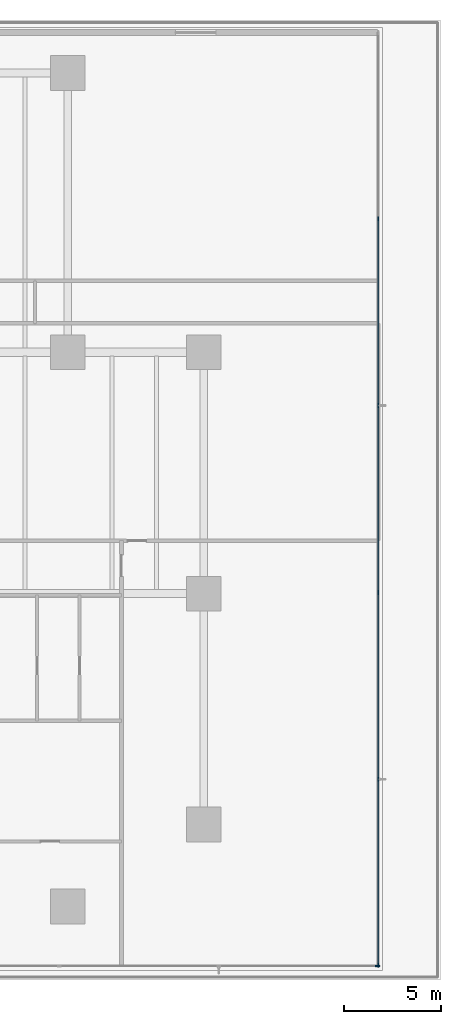
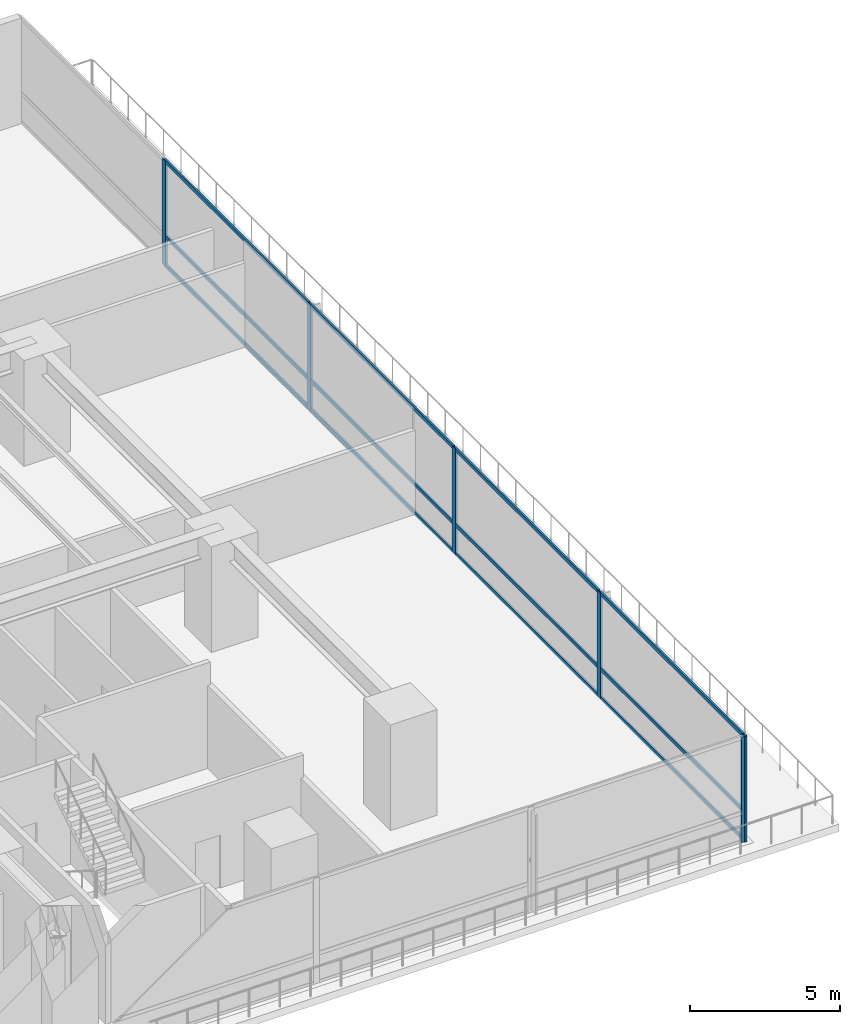
# One storey, part 6 of 24: 18 members, 2 elements without a shape of their own.
"""IFC4 building model written with IfcOpenShell, lengths in metres."""

from ifc_helpers import new_model, si_unit, direction, frame, origin, origin_2d, place, context, subcontext, project, spatial, rectangle, extrude, material, layer, layer_set, material_profile, profile_set, type_object, element, aggregate, save


model = new_model("IFC4")

# Units and contexts
model_context = context("Model", 3, precision=1e-05, world=origin(), true_north=direction((0.0, 1.0)))
body_context = subcontext(model_context, "Body", "Model", "MODEL_VIEW")
ifc_project = project(units=[si_unit("LENGTHUNIT", "METRE"), si_unit("AREAUNIT", "SQUARE_METRE"), si_unit("VOLUMEUNIT", "CUBIC_METRE"), si_unit("PLANEANGLEUNIT", "RADIAN"), si_unit("MASSUNIT", "GRAM", prefix="KILO")], contexts=[model_context])

# Site, building, storey
site_placement = place(None, origin())
site = spatial("IfcSite", under=ifc_project, at=site_placement, CompositionType="ELEMENT")
building_placement = place(site_placement, origin())
building = spatial("IfcBuilding", under=site, at=building_placement, Name="Qalmaran Belvedere Hotel", CompositionType="ELEMENT")
storey_placement = place(building_placement, frame((0.0, 0.0, 14.60009765625)))
storey = spatial("IfcBuildingStorey", under=building, at=storey_placement, Name="L03", CompositionType="ELEMENT", Elevation=14.60009765625)

# Curtain wall, member
ifc_material = material(Name="Anodised Bronze Aluminium", Category="aluminium")
ifc_layer = layer(ifc_material, 0.219970703125, Name="Anodised Bronze Aluminium")
ifc_layer_set = layer_set([ifc_layer], Name="Anodised Bronze Aluminium")
curtain_wall_type = type_object("IfcCurtainWallType", Name="CW1-PODIUM-BRONZE", PredefinedType="NOTDEFINED", material=ifc_layer_set)
curtain_wall_1_placement = place(storey_placement, origin())
curtain_wall_1 = element("IfcCurtainWall", 1, at=curtain_wall_1_placement, inside=storey, type_object=curtain_wall_type, Name="L03 Curtain Wall CW1", PredefinedType="NOTDEFINED")
ifc_material_profile_1 = material_profile(ifc_material, rectangle(XDim=0.074951171875, YDim=0.219970703125, at=origin_2d()), Name="CWM75X220")
ifc_profile_set_1 = profile_set([ifc_material_profile_1], Name="Anodised Bronze Aluminium")
member_type_1 = type_object("IfcMemberType", Name="CWM-75X220", PredefinedType="MULLION", material=ifc_profile_set_1)
member_1_placement = place(storey_placement, frame((69.742431640625, 1.219970703125, 0.0), z_axis=(0.0, 0.0, 1.0), x_axis=(0.0, 1.0, 0.0)))
member_1 = element("IfcMember", 2, at=member_1_placement, type_object=member_type_1, Name="CW1 mullion 9", PredefinedType="MULLION", context=body_context, shape_type="SweptSolid", body=[
    extrude(rectangle(XDim=0.074951171875, YDim=0.219970703125, at=origin_2d()), origin(), (0.0, 0.0, 1.0), 4.2998046875),
])
aggregate(curtain_wall_1, [member_1])

# Curtain wall, members
curtain_wall_2_placement = place(storey_placement, origin())
curtain_wall_2 = element("IfcCurtainWall", 3, at=curtain_wall_2_placement, inside=storey, type_object=curtain_wall_type, Name="L03 Curtain Wall CW1", PredefinedType="NOTDEFINED")
member_2_placement = place(storey_placement, frame((69.780029296875, 1.257568359375, 0.0), z_axis=(0.0, 0.0, 1.0), x_axis=(-1.0, 0.0, 0.0)))
member_2 = element("IfcMember", 4, at=member_2_placement, type_object=member_type_1, Name="CW1 mullion 1", PredefinedType="MULLION", context=body_context, shape_type="SweptSolid", body=[
    extrude(rectangle(XDim=0.074951171875, YDim=0.219970703125, at=origin_2d()), origin(), (0.0, 0.0, 1.0), 4.2998046875),
])
member_3_placement = place(storey_placement, frame((69.780029296875, 10.89208984375, 0.0), z_axis=(0.0, 0.0, 1.0), x_axis=(-1.0, 0.0, 0.0)))
member_3 = element("IfcMember", 5, at=member_3_placement, type_object=member_type_1, Name="CW1 mullion 2", PredefinedType="MULLION", context=body_context, shape_type="SweptSolid", body=[
    extrude(rectangle(XDim=0.074951171875, YDim=0.219970703125, at=origin_2d()), origin(), (0.0, 0.0, 1.0), 4.2998046875),
])
member_4_placement = place(storey_placement, frame((69.780029296875, 20.56396484375, 0.0), z_axis=(0.0, 0.0, 1.0), x_axis=(-1.0, 0.0, 0.0)))
member_4 = element("IfcMember", 6, at=member_4_placement, type_object=member_type_1, Name="CW1 mullion 3", PredefinedType="MULLION", context=body_context, shape_type="SweptSolid", body=[
    extrude(rectangle(XDim=0.074951171875, YDim=0.219970703125, at=origin_2d()), origin(), (0.0, 0.0, 1.0), 4.2998046875),
])
member_5_placement = place(storey_placement, frame((69.780029296875, 30.236083984375, 0.0), z_axis=(0.0, 0.0, 1.0), x_axis=(-1.0, 0.0, 0.0)))
member_5 = element("IfcMember", 7, at=member_5_placement, type_object=member_type_1, Name="CW1 mullion 4", PredefinedType="MULLION", context=body_context, shape_type="SweptSolid", body=[
    extrude(rectangle(XDim=0.074951171875, YDim=0.219970703125, at=origin_2d()), origin(), (0.0, 0.0, 1.0), 4.2998046875),
])
member_6_placement = place(storey_placement, frame((69.780029296875, 39.907958984375, 0.0), z_axis=(0.0, 0.0, 1.0), x_axis=(-1.0, 0.0, 0.0)))
member_6 = element("IfcMember", 8, at=member_6_placement, type_object=member_type_1, Name="CW1 mullion 5", PredefinedType="MULLION", context=body_context, shape_type="SweptSolid", body=[
    extrude(rectangle(XDim=0.074951171875, YDim=0.219970703125, at=origin_2d()), origin(), (0.0, 0.0, 1.0), 4.2998046875),
])
ifc_material_profile_2 = material_profile(ifc_material, rectangle(XDim=0.070068359375, YDim=0.14990234375, at=origin_2d()), Name="CWT70X150")
ifc_profile_set_2 = profile_set([ifc_material_profile_2], Name="Anodised Bronze Aluminium")
member_type_2 = type_object("IfcMemberType", Name="CWT-70X150", PredefinedType="USERDEFINED", material=ifc_profile_set_2)
member_7_placement = place(storey_placement, frame((69.780029296875, 1.294921875, 0.034912109375), z_axis=(0.0, 1.0, 0.0), x_axis=(-1.0, 0.0, 0.0)))
member_7 = element("IfcMember", 9, at=member_7_placement, type_object=member_type_2, Name="CW1 transom 1.1", ObjectType="TRANSOM", PredefinedType="USERDEFINED", context=body_context, shape_type="SweptSolid", body=[
    extrude(rectangle(XDim=0.070068359375, YDim=0.14990234375, at=origin_2d()), origin(), (0.0, 0.0, 1.0), 9.5595703125),
])
member_8_placement = place(storey_placement, frame((69.780029296875, 1.294921875, 1.203857421875), z_axis=(0.0, 1.0, 0.0), x_axis=(-1.0, 0.0, 0.0)))
member_8 = element("IfcMember", 10, at=member_8_placement, type_object=member_type_2, Name="CW1 transom 1.2", ObjectType="TRANSOM", PredefinedType="USERDEFINED", context=body_context, shape_type="SweptSolid", body=[
    extrude(rectangle(XDim=0.070068359375, YDim=0.14990234375, at=origin_2d()), origin(), (0.0, 0.0, 1.0), 9.5595703125),
])
member_9_placement = place(storey_placement, frame((69.780029296875, 1.294921875, 4.264892578125), z_axis=(0.0, 1.0, 0.0), x_axis=(-1.0, 0.0, 0.0)))
member_9 = element("IfcMember", 11, at=member_9_placement, type_object=member_type_2, Name="CW1 transom 1.3", ObjectType="TRANSOM", PredefinedType="USERDEFINED", context=body_context, shape_type="SweptSolid", body=[
    extrude(rectangle(XDim=0.070068359375, YDim=0.14990234375, at=origin_2d()), origin(), (0.0, 0.0, 1.0), 9.5595703125),
])
member_10_placement = place(storey_placement, frame((69.780029296875, 10.929443359375, 0.034912109375), z_axis=(0.0, 1.0, 0.0), x_axis=(-1.0, 0.0, 0.0)))
member_10 = element("IfcMember", 12, at=member_10_placement, type_object=member_type_2, Name="CW1 transom 2.1", ObjectType="TRANSOM", PredefinedType="USERDEFINED", context=body_context, shape_type="SweptSolid", body=[
    extrude(rectangle(XDim=0.070068359375, YDim=0.14990234375, at=origin_2d()), origin(), (0.0, 0.0, 1.0), 9.59716796875),
])
member_11_placement = place(storey_placement, frame((69.780029296875, 10.929443359375, 1.203857421875), z_axis=(0.0, 1.0, 0.0), x_axis=(-1.0, 0.0, 0.0)))
member_11 = element("IfcMember", 13, at=member_11_placement, type_object=member_type_2, Name="CW1 transom 2.2", ObjectType="TRANSOM", PredefinedType="USERDEFINED", context=body_context, shape_type="SweptSolid", body=[
    extrude(rectangle(XDim=0.070068359375, YDim=0.14990234375, at=origin_2d()), origin(), (0.0, 0.0, 1.0), 9.59716796875),
])
member_12_placement = place(storey_placement, frame((69.780029296875, 10.929443359375, 4.264892578125), z_axis=(0.0, 1.0, 0.0), x_axis=(-1.0, 0.0, 0.0)))
member_12 = element("IfcMember", 14, at=member_12_placement, type_object=member_type_2, Name="CW1 transom 2.3", ObjectType="TRANSOM", PredefinedType="USERDEFINED", context=body_context, shape_type="SweptSolid", body=[
    extrude(rectangle(XDim=0.070068359375, YDim=0.14990234375, at=origin_2d()), origin(), (0.0, 0.0, 1.0), 9.59716796875),
])
member_13_placement = place(storey_placement, frame((69.780029296875, 20.6015625, 0.034912109375), z_axis=(0.0, 1.0, 0.0), x_axis=(-1.0, 0.0, 0.0)))
member_13 = element("IfcMember", 15, at=member_13_placement, type_object=member_type_2, Name="CW1 transom 3.1", ObjectType="TRANSOM", PredefinedType="USERDEFINED", context=body_context, shape_type="SweptSolid", body=[
    extrude(rectangle(XDim=0.070068359375, YDim=0.14990234375, at=origin_2d()), origin(), (0.0, 0.0, 1.0), 9.596923828125),
])
member_14_placement = place(storey_placement, frame((69.780029296875, 20.6015625, 1.203857421875), z_axis=(0.0, 1.0, 0.0), x_axis=(-1.0, 0.0, 0.0)))
member_14 = element("IfcMember", 16, at=member_14_placement, type_object=member_type_2, Name="CW1 transom 3.2", ObjectType="TRANSOM", PredefinedType="USERDEFINED", context=body_context, shape_type="SweptSolid", body=[
    extrude(rectangle(XDim=0.070068359375, YDim=0.14990234375, at=origin_2d()), origin(), (0.0, 0.0, 1.0), 9.596923828125),
])
member_15_placement = place(storey_placement, frame((69.780029296875, 20.6015625, 4.264892578125), z_axis=(0.0, 1.0, 0.0), x_axis=(-1.0, 0.0, 0.0)))
member_15 = element("IfcMember", 17, at=member_15_placement, type_object=member_type_2, Name="CW1 transom 3.3", ObjectType="TRANSOM", PredefinedType="USERDEFINED", context=body_context, shape_type="SweptSolid", body=[
    extrude(rectangle(XDim=0.070068359375, YDim=0.14990234375, at=origin_2d()), origin(), (0.0, 0.0, 1.0), 9.596923828125),
])
member_16_placement = place(storey_placement, frame((69.780029296875, 30.2734375, 0.034912109375), z_axis=(0.0, 1.0, 0.0), x_axis=(-1.0, 0.0, 0.0)))
member_16 = element("IfcMember", 18, at=member_16_placement, type_object=member_type_2, Name="CW1 transom 4.1", ObjectType="TRANSOM", PredefinedType="USERDEFINED", context=body_context, shape_type="SweptSolid", body=[
    extrude(rectangle(XDim=0.070068359375, YDim=0.14990234375, at=origin_2d()), origin(), (0.0, 0.0, 1.0), 9.59716796875),
])
member_17_placement = place(storey_placement, frame((69.780029296875, 30.2734375, 1.203857421875), z_axis=(0.0, 1.0, 0.0), x_axis=(-1.0, 0.0, 0.0)))
member_17 = element("IfcMember", 19, at=member_17_placement, type_object=member_type_2, Name="CW1 transom 4.2", ObjectType="TRANSOM", PredefinedType="USERDEFINED", context=body_context, shape_type="SweptSolid", body=[
    extrude(rectangle(XDim=0.070068359375, YDim=0.14990234375, at=origin_2d()), origin(), (0.0, 0.0, 1.0), 9.59716796875),
])
member_18_placement = place(storey_placement, frame((69.780029296875, 30.2734375, 4.264892578125), z_axis=(0.0, 1.0, 0.0), x_axis=(-1.0, 0.0, 0.0)))
member_18 = element("IfcMember", 20, at=member_18_placement, type_object=member_type_2, Name="CW1 transom 4.3", ObjectType="TRANSOM", PredefinedType="USERDEFINED", context=body_context, shape_type="SweptSolid", body=[
    extrude(rectangle(XDim=0.070068359375, YDim=0.14990234375, at=origin_2d()), origin(), (0.0, 0.0, 1.0), 9.59716796875),
])
aggregate(curtain_wall_2, [member_2, member_3, member_4, member_5, member_6, member_7, member_8, member_9, member_10, member_11, member_12, member_13, member_14, member_15, member_16, member_17, member_18])

save(model, "model.ifc")
